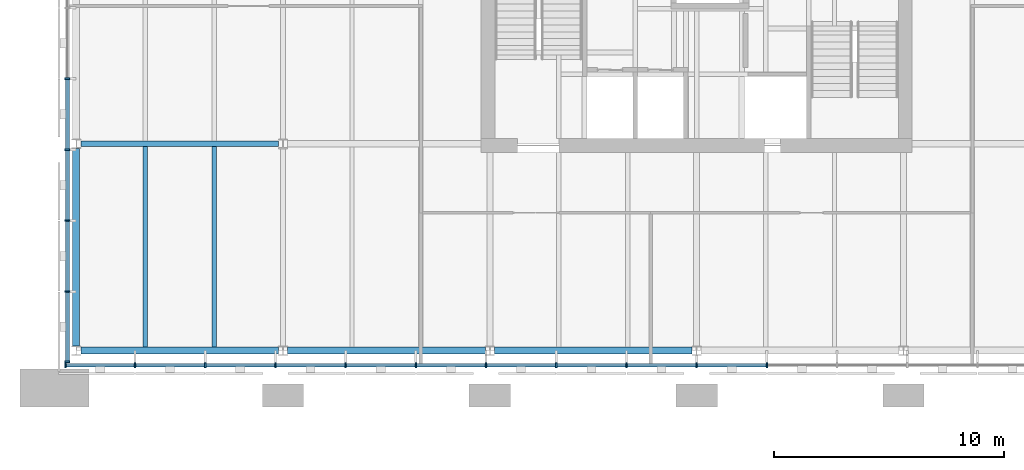
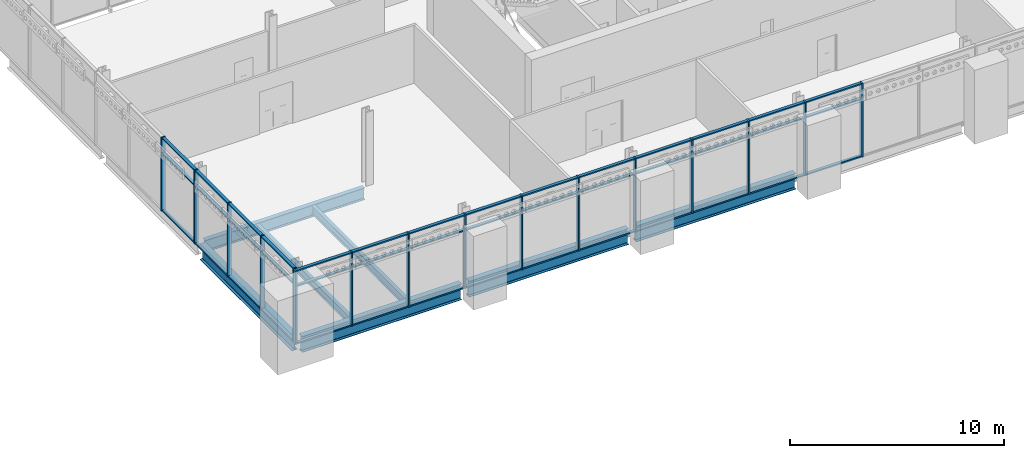
# One storey, part 30 of 123: 58 members, 7 beams, 2 elements without a shape of their own.
"""IFC4 building model written with IfcOpenShell, lengths in metres."""

from ifc_helpers import new_model, si_unit, direction, frame, origin, origin_2d, place, context, subcontext, project, spatial, rectangle, i_section, extrude, material, material_profile, profile_set, type_object, element, aggregate, save


model = new_model("IFC4")

# Units and contexts
model_context = context("Model", 3, precision=1e-05, world=origin(), true_north=direction((0.0, 1.0)))
body_context = subcontext(model_context, "Body", "Model", "MODEL_VIEW")
ifc_project = project(units=[si_unit("LENGTHUNIT", "METRE"), si_unit("AREAUNIT", "SQUARE_METRE"), si_unit("VOLUMEUNIT", "CUBIC_METRE"), si_unit("PLANEANGLEUNIT", "RADIAN"), si_unit("MASSUNIT", "GRAM", prefix="KILO")], contexts=[model_context])

# Site, building, storey
site_placement = place(None, origin())
site = spatial("IfcSite", under=ifc_project, at=site_placement, CompositionType="ELEMENT")
building_placement = place(site_placement, origin())
building = spatial("IfcBuilding", under=site, at=building_placement, Name="Baradari Gate Terminus", CompositionType="ELEMENT")
storey_placement = place(building_placement, frame((0.0, 0.0, 7.5)))
storey = spatial("IfcBuildingStorey", under=building, at=storey_placement, Name="L01", CompositionType="ELEMENT", Elevation=7.5)

# Curtain wall, members
ifc_material_1 = material(Name="Aluminium 6063-T6", Category="aluminium")
curtain_wall_type = type_object("IfcCurtainWallType", Name="Curtain wall CW-9 block gallery storey", PredefinedType="NOTDEFINED", material=ifc_material_1)
curtain_wall_1_placement = place(storey_placement, origin())
curtain_wall_1 = element("IfcCurtainWall", 1, at=curtain_wall_1_placement, inside=storey, type_object=curtain_wall_type, Name="Curtain wall CW-9 Operations block S face L01", PredefinedType="NOTDEFINED")
ifc_material_2 = material(Name="Aluminium 6063-T6", Category="aluminium")
ifc_material_profile_1 = material_profile(ifc_material_2, rectangle(XDim=0.22509765625, YDim=0.070068359375, at=origin_2d()), Name="CM-9 70X225")
ifc_profile_set_1 = profile_set([ifc_material_profile_1], Name="Aluminium 6063-T6")
member_type_1 = type_object("IfcMemberType", Name="Curtain wall mullion CM-9 70x225", PredefinedType="MULLION", material=ifc_profile_set_1)
member_1_placement = place(storey_placement, frame((8.5400390625, 116.367431640625, 0.0), z_axis=(0.0, 0.0, 1.0), x_axis=(0.0, 1.0, 0.0)))
member_1 = element("IfcMember", 2, at=member_1_placement, type_object=member_type_1, Name="CW-9 mullion 1", PredefinedType="MULLION", context=body_context, shape_type="SweptSolid", body=[
    extrude(rectangle(XDim=0.22509765625, YDim=0.070068359375, at=origin_2d()), origin(), (0.0, 0.0, 1.0), 4.199951171875),
])
member_2_placement = place(storey_placement, frame((11.56005859375, 116.367431640625, 0.0), z_axis=(0.0, 0.0, 1.0), x_axis=(0.0, 1.0, 0.0)))
member_2 = element("IfcMember", 3, at=member_2_placement, type_object=member_type_1, Name="CW-9 mullion 2", PredefinedType="MULLION", context=body_context, shape_type="SweptSolid", body=[
    extrude(rectangle(XDim=0.22509765625, YDim=0.070068359375, at=origin_2d()), origin(), (0.0, 0.0, 1.0), 4.199951171875),
])
member_3_placement = place(storey_placement, frame((14.614990234375, 116.367431640625, 0.0), z_axis=(0.0, 0.0, 1.0), x_axis=(0.0, 1.0, 0.0)))
member_3 = element("IfcMember", 4, at=member_3_placement, type_object=member_type_1, Name="CW-9 mullion 3", PredefinedType="MULLION", context=body_context, shape_type="SweptSolid", body=[
    extrude(rectangle(XDim=0.22509765625, YDim=0.070068359375, at=origin_2d()), origin(), (0.0, 0.0, 1.0), 4.199951171875),
])
member_4_placement = place(storey_placement, frame((17.669921875, 116.367431640625, 0.0), z_axis=(0.0, 0.0, 1.0), x_axis=(0.0, 1.0, 0.0)))
member_4 = element("IfcMember", 5, at=member_4_placement, type_object=member_type_1, Name="CW-9 mullion 4", PredefinedType="MULLION", context=body_context, shape_type="SweptSolid", body=[
    extrude(rectangle(XDim=0.22509765625, YDim=0.070068359375, at=origin_2d()), origin(), (0.0, 0.0, 1.0), 4.199951171875),
])
member_5_placement = place(storey_placement, frame((20.72509765625, 116.367431640625, 0.0), z_axis=(0.0, 0.0, 1.0), x_axis=(0.0, 1.0, 0.0)))
member_5 = element("IfcMember", 6, at=member_5_placement, type_object=member_type_1, Name="CW-9 mullion 5", PredefinedType="MULLION", context=body_context, shape_type="SweptSolid", body=[
    extrude(rectangle(XDim=0.22509765625, YDim=0.070068359375, at=origin_2d()), origin(), (0.0, 0.0, 1.0), 4.199951171875),
])
member_6_placement = place(storey_placement, frame((23.780029296875, 116.367431640625, 0.0), z_axis=(0.0, 0.0, 1.0), x_axis=(0.0, 1.0, 0.0)))
member_6 = element("IfcMember", 7, at=member_6_placement, type_object=member_type_1, Name="CW-9 mullion 6", PredefinedType="MULLION", context=body_context, shape_type="SweptSolid", body=[
    extrude(rectangle(XDim=0.22509765625, YDim=0.070068359375, at=origin_2d()), origin(), (0.0, 0.0, 1.0), 4.199951171875),
])
member_7_placement = place(storey_placement, frame((26.8349609375, 116.367431640625, 0.0), z_axis=(0.0, 0.0, 1.0), x_axis=(0.0, 1.0, 0.0)))
member_7 = element("IfcMember", 8, at=member_7_placement, type_object=member_type_1, Name="CW-9 mullion 7", PredefinedType="MULLION", context=body_context, shape_type="SweptSolid", body=[
    extrude(rectangle(XDim=0.22509765625, YDim=0.070068359375, at=origin_2d()), origin(), (0.0, 0.0, 1.0), 4.199951171875),
])
member_8_placement = place(storey_placement, frame((29.889892578125, 116.367431640625, 0.0), z_axis=(0.0, 0.0, 1.0), x_axis=(0.0, 1.0, 0.0)))
member_8 = element("IfcMember", 9, at=member_8_placement, type_object=member_type_1, Name="CW-9 mullion 8", PredefinedType="MULLION", context=body_context, shape_type="SweptSolid", body=[
    extrude(rectangle(XDim=0.22509765625, YDim=0.070068359375, at=origin_2d()), origin(), (0.0, 0.0, 1.0), 4.199951171875),
])
member_9_placement = place(storey_placement, frame((32.945068359375, 116.367431640625, 0.0), z_axis=(0.0, 0.0, 1.0), x_axis=(0.0, 1.0, 0.0)))
member_9 = element("IfcMember", 10, at=member_9_placement, type_object=member_type_1, Name="CW-9 mullion 9", PredefinedType="MULLION", context=body_context, shape_type="SweptSolid", body=[
    extrude(rectangle(XDim=0.22509765625, YDim=0.070068359375, at=origin_2d()), origin(), (0.0, 0.0, 1.0), 4.199951171875),
])
member_10_placement = place(storey_placement, frame((36.0, 116.367431640625, 0.0), z_axis=(0.0, 0.0, 1.0), x_axis=(0.0, 1.0, 0.0)))
member_10 = element("IfcMember", 11, at=member_10_placement, type_object=member_type_1, Name="CW-9 mullion 10", PredefinedType="MULLION", context=body_context, shape_type="SweptSolid", body=[
    extrude(rectangle(XDim=0.22509765625, YDim=0.070068359375, at=origin_2d()), origin(), (0.0, 0.0, 1.0), 4.199951171875),
])
member_11_placement = place(storey_placement, frame((39.054931640625, 116.367431640625, 0.0), z_axis=(0.0, 0.0, 1.0), x_axis=(0.0, 1.0, 0.0)))
member_11 = element("IfcMember", 12, at=member_11_placement, type_object=member_type_1, Name="CW-9 mullion 11", PredefinedType="MULLION", context=body_context, shape_type="SweptSolid", body=[
    extrude(rectangle(XDim=0.22509765625, YDim=0.070068359375, at=origin_2d()), origin(), (0.0, 0.0, 1.0), 4.199951171875),
])

curtain_wall_2_placement = place(storey_placement, origin())
curtain_wall_2 = element("IfcCurtainWall", 13, at=curtain_wall_2_placement, inside=storey, type_object=curtain_wall_type, Name="Curtain wall CW-9 Operations block W face L01", PredefinedType="NOTDEFINED")
member_12_placement = place(storey_placement, frame((8.617431640625, 116.514892578125, 0.0), z_axis=(0.0, 0.0, 1.0), x_axis=(-1.0, 0.0, 0.0)))
member_12 = element("IfcMember", 14, at=member_12_placement, type_object=member_type_1, Name="CW-9 mullion 1", PredefinedType="MULLION", context=body_context, shape_type="SweptSolid", body=[
    extrude(rectangle(XDim=0.22509765625, YDim=0.070068359375, at=origin_2d()), origin(), (0.0, 0.0, 1.0), 4.199951171875),
])
member_13_placement = place(storey_placement, frame((8.617431640625, 119.56787109375, 0.0), z_axis=(0.0, 0.0, 1.0), x_axis=(-1.0, 0.0, 0.0)))
member_13 = element("IfcMember", 15, at=member_13_placement, type_object=member_type_1, Name="CW-9 mullion 2", PredefinedType="MULLION", context=body_context, shape_type="SweptSolid", body=[
    extrude(rectangle(XDim=0.22509765625, YDim=0.070068359375, at=origin_2d()), origin(), (0.0, 0.0, 1.0), 4.199951171875),
])
member_14_placement = place(storey_placement, frame((8.617431640625, 122.655517578125, 0.0), z_axis=(0.0, 0.0, 1.0), x_axis=(-1.0, 0.0, 0.0)))
member_14 = element("IfcMember", 16, at=member_14_placement, type_object=member_type_1, Name="CW-9 mullion 3", PredefinedType="MULLION", context=body_context, shape_type="SweptSolid", body=[
    extrude(rectangle(XDim=0.22509765625, YDim=0.070068359375, at=origin_2d()), origin(), (0.0, 0.0, 1.0), 4.199951171875),
])
member_15_placement = place(storey_placement, frame((8.617431640625, 125.743408203125, 0.0), z_axis=(0.0, 0.0, 1.0), x_axis=(-1.0, 0.0, 0.0)))
member_15 = element("IfcMember", 17, at=member_15_placement, type_object=member_type_1, Name="CW-9 mullion 4", PredefinedType="MULLION", context=body_context, shape_type="SweptSolid", body=[
    extrude(rectangle(XDim=0.22509765625, YDim=0.070068359375, at=origin_2d()), origin(), (0.0, 0.0, 1.0), 4.199951171875),
])
member_16_placement = place(storey_placement, frame((8.617431640625, 128.8310546875, 0.0), z_axis=(0.0, 0.0, 1.0), x_axis=(-1.0, 0.0, 0.0)))
member_16 = element("IfcMember", 18, at=member_16_placement, type_object=member_type_1, Name="CW-9 mullion 5", PredefinedType="MULLION", context=body_context, shape_type="SweptSolid", body=[
    extrude(rectangle(XDim=0.22509765625, YDim=0.070068359375, at=origin_2d()), origin(), (0.0, 0.0, 1.0), 4.199951171875),
])

# Member
ifc_material_3 = material(Name="Aluminium 6063-T6", Category="aluminium")
ifc_material_profile_2 = material_profile(ifc_material_3, rectangle(XDim=0.1650390625, YDim=0.070068359375, at=origin_2d()), Name="CT-9 70X165")
ifc_profile_set_2 = profile_set([ifc_material_profile_2], Name="Aluminium 6063-T6")
member_type_2 = type_object("IfcMemberType", Name="Curtain wall transom CT-9 70x165", PredefinedType="USERDEFINED", material=ifc_profile_set_2)
member_17_placement = place(storey_placement, frame((8.574951171875, 116.367431640625, 0.034912109375), z_axis=(1.0, 0.0, 0.0), x_axis=(0.0, 1.0, 0.0)))
member_17 = element("IfcMember", 19, at=member_17_placement, type_object=member_type_2, Name="CW-9 transom 1.1", ObjectType="TRANSOM", PredefinedType="USERDEFINED", context=body_context, shape_type="SweptSolid", body=[
    extrude(rectangle(XDim=0.1650390625, YDim=0.070068359375, at=origin_2d()), origin(), (0.0, 0.0, 1.0), 2.949951171875),
])

member_18_placement = place(storey_placement, frame((8.574951171875, 116.367431640625, 3.300048828125), z_axis=(1.0, 0.0, 0.0), x_axis=(0.0, 1.0, 0.0)))
member_18 = element("IfcMember", 20, at=member_18_placement, type_object=member_type_2, Name="CW-9 transom 1.2", ObjectType="TRANSOM", PredefinedType="USERDEFINED", context=body_context, shape_type="SweptSolid", body=[
    extrude(rectangle(XDim=0.1650390625, YDim=0.070068359375, at=origin_2d()), origin(), (0.0, 0.0, 1.0), 2.949951171875),
])

member_19_placement = place(storey_placement, frame((8.574951171875, 116.367431640625, 4.1650390625), z_axis=(1.0, 0.0, 0.0), x_axis=(0.0, 1.0, 0.0)))
member_19 = element("IfcMember", 21, at=member_19_placement, type_object=member_type_2, Name="CW-9 transom 1.3", ObjectType="TRANSOM", PredefinedType="USERDEFINED", context=body_context, shape_type="SweptSolid", body=[
    extrude(rectangle(XDim=0.1650390625, YDim=0.070068359375, at=origin_2d()), origin(), (0.0, 0.0, 1.0), 2.949951171875),
])

member_20_placement = place(storey_placement, frame((11.594970703125, 116.367431640625, 0.034912109375), z_axis=(1.0, 0.0, 0.0), x_axis=(0.0, 1.0, 0.0)))
member_20 = element("IfcMember", 22, at=member_20_placement, type_object=member_type_2, Name="CW-9 transom 2.1", ObjectType="TRANSOM", PredefinedType="USERDEFINED", context=body_context, shape_type="SweptSolid", body=[
    extrude(rectangle(XDim=0.1650390625, YDim=0.070068359375, at=origin_2d()), origin(), (0.0, 0.0, 1.0), 2.985107421875),
])

member_21_placement = place(storey_placement, frame((11.594970703125, 116.367431640625, 3.300048828125), z_axis=(1.0, 0.0, 0.0), x_axis=(0.0, 1.0, 0.0)))
member_21 = element("IfcMember", 23, at=member_21_placement, type_object=member_type_2, Name="CW-9 transom 2.2", ObjectType="TRANSOM", PredefinedType="USERDEFINED", context=body_context, shape_type="SweptSolid", body=[
    extrude(rectangle(XDim=0.1650390625, YDim=0.070068359375, at=origin_2d()), origin(), (0.0, 0.0, 1.0), 2.985107421875),
])

member_22_placement = place(storey_placement, frame((11.594970703125, 116.367431640625, 4.1650390625), z_axis=(1.0, 0.0, 0.0), x_axis=(0.0, 1.0, 0.0)))
member_22 = element("IfcMember", 24, at=member_22_placement, type_object=member_type_2, Name="CW-9 transom 2.3", ObjectType="TRANSOM", PredefinedType="USERDEFINED", context=body_context, shape_type="SweptSolid", body=[
    extrude(rectangle(XDim=0.1650390625, YDim=0.070068359375, at=origin_2d()), origin(), (0.0, 0.0, 1.0), 2.985107421875),
])

member_23_placement = place(storey_placement, frame((14.64990234375, 116.367431640625, 0.034912109375), z_axis=(1.0, 0.0, 0.0), x_axis=(0.0, 1.0, 0.0)))
member_23 = element("IfcMember", 25, at=member_23_placement, type_object=member_type_2, Name="CW-9 transom 3.1", ObjectType="TRANSOM", PredefinedType="USERDEFINED", context=body_context, shape_type="SweptSolid", body=[
    extrude(rectangle(XDim=0.1650390625, YDim=0.070068359375, at=origin_2d()), origin(), (0.0, 0.0, 1.0), 2.985107421875),
])

member_24_placement = place(storey_placement, frame((14.64990234375, 116.367431640625, 3.300048828125), z_axis=(1.0, 0.0, 0.0), x_axis=(0.0, 1.0, 0.0)))
member_24 = element("IfcMember", 26, at=member_24_placement, type_object=member_type_2, Name="CW-9 transom 3.2", ObjectType="TRANSOM", PredefinedType="USERDEFINED", context=body_context, shape_type="SweptSolid", body=[
    extrude(rectangle(XDim=0.1650390625, YDim=0.070068359375, at=origin_2d()), origin(), (0.0, 0.0, 1.0), 2.985107421875),
])

member_25_placement = place(storey_placement, frame((14.64990234375, 116.367431640625, 4.1650390625), z_axis=(1.0, 0.0, 0.0), x_axis=(0.0, 1.0, 0.0)))
member_25 = element("IfcMember", 27, at=member_25_placement, type_object=member_type_2, Name="CW-9 transom 3.3", ObjectType="TRANSOM", PredefinedType="USERDEFINED", context=body_context, shape_type="SweptSolid", body=[
    extrude(rectangle(XDim=0.1650390625, YDim=0.070068359375, at=origin_2d()), origin(), (0.0, 0.0, 1.0), 2.985107421875),
])

member_26_placement = place(storey_placement, frame((17.705078125, 116.367431640625, 0.034912109375), z_axis=(1.0, 0.0, 0.0), x_axis=(0.0, 1.0, 0.0)))
member_26 = element("IfcMember", 28, at=member_26_placement, type_object=member_type_2, Name="CW-9 transom 4.1", ObjectType="TRANSOM", PredefinedType="USERDEFINED", context=body_context, shape_type="SweptSolid", body=[
    extrude(rectangle(XDim=0.1650390625, YDim=0.070068359375, at=origin_2d()), origin(), (0.0, 0.0, 1.0), 2.98486328125),
])

member_27_placement = place(storey_placement, frame((17.705078125, 116.367431640625, 3.300048828125), z_axis=(1.0, 0.0, 0.0), x_axis=(0.0, 1.0, 0.0)))
member_27 = element("IfcMember", 29, at=member_27_placement, type_object=member_type_2, Name="CW-9 transom 4.2", ObjectType="TRANSOM", PredefinedType="USERDEFINED", context=body_context, shape_type="SweptSolid", body=[
    extrude(rectangle(XDim=0.1650390625, YDim=0.070068359375, at=origin_2d()), origin(), (0.0, 0.0, 1.0), 2.98486328125),
])

member_28_placement = place(storey_placement, frame((17.705078125, 116.367431640625, 4.1650390625), z_axis=(1.0, 0.0, 0.0), x_axis=(0.0, 1.0, 0.0)))
member_28 = element("IfcMember", 30, at=member_28_placement, type_object=member_type_2, Name="CW-9 transom 4.3", ObjectType="TRANSOM", PredefinedType="USERDEFINED", context=body_context, shape_type="SweptSolid", body=[
    extrude(rectangle(XDim=0.1650390625, YDim=0.070068359375, at=origin_2d()), origin(), (0.0, 0.0, 1.0), 2.98486328125),
])

member_29_placement = place(storey_placement, frame((20.760009765625, 116.367431640625, 0.034912109375), z_axis=(1.0, 0.0, 0.0), x_axis=(0.0, 1.0, 0.0)))
member_29 = element("IfcMember", 31, at=member_29_placement, type_object=member_type_2, Name="CW-9 transom 5.1", ObjectType="TRANSOM", PredefinedType="USERDEFINED", context=body_context, shape_type="SweptSolid", body=[
    extrude(rectangle(XDim=0.1650390625, YDim=0.070068359375, at=origin_2d()), origin(), (0.0, 0.0, 1.0), 2.985107421875),
])

member_30_placement = place(storey_placement, frame((20.760009765625, 116.367431640625, 3.300048828125), z_axis=(1.0, 0.0, 0.0), x_axis=(0.0, 1.0, 0.0)))
member_30 = element("IfcMember", 32, at=member_30_placement, type_object=member_type_2, Name="CW-9 transom 5.2", ObjectType="TRANSOM", PredefinedType="USERDEFINED", context=body_context, shape_type="SweptSolid", body=[
    extrude(rectangle(XDim=0.1650390625, YDim=0.070068359375, at=origin_2d()), origin(), (0.0, 0.0, 1.0), 2.985107421875),
])

member_31_placement = place(storey_placement, frame((20.760009765625, 116.367431640625, 4.1650390625), z_axis=(1.0, 0.0, 0.0), x_axis=(0.0, 1.0, 0.0)))
member_31 = element("IfcMember", 33, at=member_31_placement, type_object=member_type_2, Name="CW-9 transom 5.3", ObjectType="TRANSOM", PredefinedType="USERDEFINED", context=body_context, shape_type="SweptSolid", body=[
    extrude(rectangle(XDim=0.1650390625, YDim=0.070068359375, at=origin_2d()), origin(), (0.0, 0.0, 1.0), 2.985107421875),
])

member_32_placement = place(storey_placement, frame((23.81494140625, 116.367431640625, 0.034912109375), z_axis=(1.0, 0.0, 0.0), x_axis=(0.0, 1.0, 0.0)))
member_32 = element("IfcMember", 34, at=member_32_placement, type_object=member_type_2, Name="CW-9 transom 6.1", ObjectType="TRANSOM", PredefinedType="USERDEFINED", context=body_context, shape_type="SweptSolid", body=[
    extrude(rectangle(XDim=0.1650390625, YDim=0.070068359375, at=origin_2d()), origin(), (0.0, 0.0, 1.0), 2.985107421875),
])

member_33_placement = place(storey_placement, frame((23.81494140625, 116.367431640625, 3.300048828125), z_axis=(1.0, 0.0, 0.0), x_axis=(0.0, 1.0, 0.0)))
member_33 = element("IfcMember", 35, at=member_33_placement, type_object=member_type_2, Name="CW-9 transom 6.2", ObjectType="TRANSOM", PredefinedType="USERDEFINED", context=body_context, shape_type="SweptSolid", body=[
    extrude(rectangle(XDim=0.1650390625, YDim=0.070068359375, at=origin_2d()), origin(), (0.0, 0.0, 1.0), 2.985107421875),
])

member_34_placement = place(storey_placement, frame((23.81494140625, 116.367431640625, 4.1650390625), z_axis=(1.0, 0.0, 0.0), x_axis=(0.0, 1.0, 0.0)))
member_34 = element("IfcMember", 36, at=member_34_placement, type_object=member_type_2, Name="CW-9 transom 6.3", ObjectType="TRANSOM", PredefinedType="USERDEFINED", context=body_context, shape_type="SweptSolid", body=[
    extrude(rectangle(XDim=0.1650390625, YDim=0.070068359375, at=origin_2d()), origin(), (0.0, 0.0, 1.0), 2.985107421875),
])

member_35_placement = place(storey_placement, frame((26.8701171875, 116.367431640625, 0.034912109375), z_axis=(1.0, 0.0, 0.0), x_axis=(0.0, 1.0, 0.0)))
member_35 = element("IfcMember", 37, at=member_35_placement, type_object=member_type_2, Name="CW-9 transom 7.1", ObjectType="TRANSOM", PredefinedType="USERDEFINED", context=body_context, shape_type="SweptSolid", body=[
    extrude(rectangle(XDim=0.1650390625, YDim=0.070068359375, at=origin_2d()), origin(), (0.0, 0.0, 1.0), 2.98486328125),
])

member_36_placement = place(storey_placement, frame((26.8701171875, 116.367431640625, 3.300048828125), z_axis=(1.0, 0.0, 0.0), x_axis=(0.0, 1.0, 0.0)))
member_36 = element("IfcMember", 38, at=member_36_placement, type_object=member_type_2, Name="CW-9 transom 7.2", ObjectType="TRANSOM", PredefinedType="USERDEFINED", context=body_context, shape_type="SweptSolid", body=[
    extrude(rectangle(XDim=0.1650390625, YDim=0.070068359375, at=origin_2d()), origin(), (0.0, 0.0, 1.0), 2.98486328125),
])

member_37_placement = place(storey_placement, frame((26.8701171875, 116.367431640625, 4.1650390625), z_axis=(1.0, 0.0, 0.0), x_axis=(0.0, 1.0, 0.0)))
member_37 = element("IfcMember", 39, at=member_37_placement, type_object=member_type_2, Name="CW-9 transom 7.3", ObjectType="TRANSOM", PredefinedType="USERDEFINED", context=body_context, shape_type="SweptSolid", body=[
    extrude(rectangle(XDim=0.1650390625, YDim=0.070068359375, at=origin_2d()), origin(), (0.0, 0.0, 1.0), 2.98486328125),
])

member_38_placement = place(storey_placement, frame((29.925048828125, 116.367431640625, 0.034912109375), z_axis=(1.0, 0.0, 0.0), x_axis=(0.0, 1.0, 0.0)))
member_38 = element("IfcMember", 40, at=member_38_placement, type_object=member_type_2, Name="CW-9 transom 8.1", ObjectType="TRANSOM", PredefinedType="USERDEFINED", context=body_context, shape_type="SweptSolid", body=[
    extrude(rectangle(XDim=0.1650390625, YDim=0.070068359375, at=origin_2d()), origin(), (0.0, 0.0, 1.0), 2.98486328125),
])

member_39_placement = place(storey_placement, frame((29.925048828125, 116.367431640625, 3.300048828125), z_axis=(1.0, 0.0, 0.0), x_axis=(0.0, 1.0, 0.0)))
member_39 = element("IfcMember", 41, at=member_39_placement, type_object=member_type_2, Name="CW-9 transom 8.2", ObjectType="TRANSOM", PredefinedType="USERDEFINED", context=body_context, shape_type="SweptSolid", body=[
    extrude(rectangle(XDim=0.1650390625, YDim=0.070068359375, at=origin_2d()), origin(), (0.0, 0.0, 1.0), 2.98486328125),
])

member_40_placement = place(storey_placement, frame((29.925048828125, 116.367431640625, 4.1650390625), z_axis=(1.0, 0.0, 0.0), x_axis=(0.0, 1.0, 0.0)))
member_40 = element("IfcMember", 42, at=member_40_placement, type_object=member_type_2, Name="CW-9 transom 8.3", ObjectType="TRANSOM", PredefinedType="USERDEFINED", context=body_context, shape_type="SweptSolid", body=[
    extrude(rectangle(XDim=0.1650390625, YDim=0.070068359375, at=origin_2d()), origin(), (0.0, 0.0, 1.0), 2.98486328125),
])

member_41_placement = place(storey_placement, frame((32.97998046875, 116.367431640625, 0.034912109375), z_axis=(1.0, 0.0, 0.0), x_axis=(0.0, 1.0, 0.0)))
member_41 = element("IfcMember", 43, at=member_41_placement, type_object=member_type_2, Name="CW-9 transom 9.1", ObjectType="TRANSOM", PredefinedType="USERDEFINED", context=body_context, shape_type="SweptSolid", body=[
    extrude(rectangle(XDim=0.1650390625, YDim=0.070068359375, at=origin_2d()), origin(), (0.0, 0.0, 1.0), 2.985107421875),
])

member_42_placement = place(storey_placement, frame((32.97998046875, 116.367431640625, 3.300048828125), z_axis=(1.0, 0.0, 0.0), x_axis=(0.0, 1.0, 0.0)))
member_42 = element("IfcMember", 44, at=member_42_placement, type_object=member_type_2, Name="CW-9 transom 9.2", ObjectType="TRANSOM", PredefinedType="USERDEFINED", context=body_context, shape_type="SweptSolid", body=[
    extrude(rectangle(XDim=0.1650390625, YDim=0.070068359375, at=origin_2d()), origin(), (0.0, 0.0, 1.0), 2.985107421875),
])

member_43_placement = place(storey_placement, frame((32.97998046875, 116.367431640625, 4.1650390625), z_axis=(1.0, 0.0, 0.0), x_axis=(0.0, 1.0, 0.0)))
member_43 = element("IfcMember", 45, at=member_43_placement, type_object=member_type_2, Name="CW-9 transom 9.3", ObjectType="TRANSOM", PredefinedType="USERDEFINED", context=body_context, shape_type="SweptSolid", body=[
    extrude(rectangle(XDim=0.1650390625, YDim=0.070068359375, at=origin_2d()), origin(), (0.0, 0.0, 1.0), 2.985107421875),
])

member_44_placement = place(storey_placement, frame((36.034912109375, 116.367431640625, 0.034912109375), z_axis=(1.0, 0.0, 0.0), x_axis=(0.0, 1.0, 0.0)))
member_44 = element("IfcMember", 46, at=member_44_placement, type_object=member_type_2, Name="CW-9 transom 10.1", ObjectType="TRANSOM", PredefinedType="USERDEFINED", context=body_context, shape_type="SweptSolid", body=[
    extrude(rectangle(XDim=0.1650390625, YDim=0.070068359375, at=origin_2d()), origin(), (0.0, 0.0, 1.0), 2.985107421875),
])

member_45_placement = place(storey_placement, frame((36.034912109375, 116.367431640625, 3.300048828125), z_axis=(1.0, 0.0, 0.0), x_axis=(0.0, 1.0, 0.0)))
member_45 = element("IfcMember", 47, at=member_45_placement, type_object=member_type_2, Name="CW-9 transom 10.2", ObjectType="TRANSOM", PredefinedType="USERDEFINED", context=body_context, shape_type="SweptSolid", body=[
    extrude(rectangle(XDim=0.1650390625, YDim=0.070068359375, at=origin_2d()), origin(), (0.0, 0.0, 1.0), 2.985107421875),
])

member_46_placement = place(storey_placement, frame((36.034912109375, 116.367431640625, 4.1650390625), z_axis=(1.0, 0.0, 0.0), x_axis=(0.0, 1.0, 0.0)))
member_46 = element("IfcMember", 48, at=member_46_placement, type_object=member_type_2, Name="CW-9 transom 10.3", ObjectType="TRANSOM", PredefinedType="USERDEFINED", context=body_context, shape_type="SweptSolid", body=[
    extrude(rectangle(XDim=0.1650390625, YDim=0.070068359375, at=origin_2d()), origin(), (0.0, 0.0, 1.0), 2.985107421875),
])

aggregate(curtain_wall_1, [member_1, member_2, member_3, member_4, member_5, member_6, member_7, member_8, member_9, member_10, member_11, member_17, member_18, member_19, member_20, member_21, member_22, member_23, member_24, member_25, member_26, member_27, member_28, member_29, member_30, member_31, member_32, member_33, member_34, member_35, member_36, member_37, member_38, member_39, member_40, member_41, member_42, member_43, member_44, member_45, member_46])

member_47_placement = place(storey_placement, frame((8.617431640625, 116.550048828125, 0.034912109375), z_axis=(0.0, 1.0, 0.0), x_axis=(-1.0, 0.0, 0.0)))
member_47 = element("IfcMember", 49, at=member_47_placement, type_object=member_type_2, Name="CW-9 transom 1.1", ObjectType="TRANSOM", PredefinedType="USERDEFINED", context=body_context, shape_type="SweptSolid", body=[
    extrude(rectangle(XDim=0.1650390625, YDim=0.070068359375, at=origin_2d()), origin(), (0.0, 0.0, 1.0), 2.982666015625),
])

member_48_placement = place(storey_placement, frame((8.617431640625, 116.550048828125, 3.300048828125), z_axis=(0.0, 1.0, 0.0), x_axis=(-1.0, 0.0, 0.0)))
member_48 = element("IfcMember", 50, at=member_48_placement, type_object=member_type_2, Name="CW-9 transom 1.2", ObjectType="TRANSOM", PredefinedType="USERDEFINED", context=body_context, shape_type="SweptSolid", body=[
    extrude(rectangle(XDim=0.1650390625, YDim=0.070068359375, at=origin_2d()), origin(), (0.0, 0.0, 1.0), 2.982666015625),
])

member_49_placement = place(storey_placement, frame((8.617431640625, 116.550048828125, 4.1650390625), z_axis=(0.0, 1.0, 0.0), x_axis=(-1.0, 0.0, 0.0)))
member_49 = element("IfcMember", 51, at=member_49_placement, type_object=member_type_2, Name="CW-9 transom 1.3", ObjectType="TRANSOM", PredefinedType="USERDEFINED", context=body_context, shape_type="SweptSolid", body=[
    extrude(rectangle(XDim=0.1650390625, YDim=0.070068359375, at=origin_2d()), origin(), (0.0, 0.0, 1.0), 2.982666015625),
])

member_50_placement = place(storey_placement, frame((8.617431640625, 119.602783203125, 0.034912109375), z_axis=(0.0, 1.0, 0.0), x_axis=(-1.0, 0.0, 0.0)))
member_50 = element("IfcMember", 52, at=member_50_placement, type_object=member_type_2, Name="CW-9 transom 2.1", ObjectType="TRANSOM", PredefinedType="USERDEFINED", context=body_context, shape_type="SweptSolid", body=[
    extrude(rectangle(XDim=0.1650390625, YDim=0.070068359375, at=origin_2d()), origin(), (0.0, 0.0, 1.0), 3.017822265625),
])

member_51_placement = place(storey_placement, frame((8.617431640625, 119.602783203125, 3.300048828125), z_axis=(0.0, 1.0, 0.0), x_axis=(-1.0, 0.0, 0.0)))
member_51 = element("IfcMember", 53, at=member_51_placement, type_object=member_type_2, Name="CW-9 transom 2.2", ObjectType="TRANSOM", PredefinedType="USERDEFINED", context=body_context, shape_type="SweptSolid", body=[
    extrude(rectangle(XDim=0.1650390625, YDim=0.070068359375, at=origin_2d()), origin(), (0.0, 0.0, 1.0), 3.017822265625),
])

member_52_placement = place(storey_placement, frame((8.617431640625, 119.602783203125, 4.1650390625), z_axis=(0.0, 1.0, 0.0), x_axis=(-1.0, 0.0, 0.0)))
member_52 = element("IfcMember", 54, at=member_52_placement, type_object=member_type_2, Name="CW-9 transom 2.3", ObjectType="TRANSOM", PredefinedType="USERDEFINED", context=body_context, shape_type="SweptSolid", body=[
    extrude(rectangle(XDim=0.1650390625, YDim=0.070068359375, at=origin_2d()), origin(), (0.0, 0.0, 1.0), 3.017822265625),
])

member_53_placement = place(storey_placement, frame((8.617431640625, 122.690673828125, 0.034912109375), z_axis=(0.0, 1.0, 0.0), x_axis=(-1.0, 0.0, 0.0)))
member_53 = element("IfcMember", 55, at=member_53_placement, type_object=member_type_2, Name="CW-9 transom 3.1", ObjectType="TRANSOM", PredefinedType="USERDEFINED", context=body_context, shape_type="SweptSolid", body=[
    extrude(rectangle(XDim=0.1650390625, YDim=0.070068359375, at=origin_2d()), origin(), (0.0, 0.0, 1.0), 3.017578125),
])

member_54_placement = place(storey_placement, frame((8.617431640625, 122.690673828125, 3.300048828125), z_axis=(0.0, 1.0, 0.0), x_axis=(-1.0, 0.0, 0.0)))
member_54 = element("IfcMember", 56, at=member_54_placement, type_object=member_type_2, Name="CW-9 transom 3.2", ObjectType="TRANSOM", PredefinedType="USERDEFINED", context=body_context, shape_type="SweptSolid", body=[
    extrude(rectangle(XDim=0.1650390625, YDim=0.070068359375, at=origin_2d()), origin(), (0.0, 0.0, 1.0), 3.017578125),
])

member_55_placement = place(storey_placement, frame((8.617431640625, 122.690673828125, 4.1650390625), z_axis=(0.0, 1.0, 0.0), x_axis=(-1.0, 0.0, 0.0)))
member_55 = element("IfcMember", 57, at=member_55_placement, type_object=member_type_2, Name="CW-9 transom 3.3", ObjectType="TRANSOM", PredefinedType="USERDEFINED", context=body_context, shape_type="SweptSolid", body=[
    extrude(rectangle(XDim=0.1650390625, YDim=0.070068359375, at=origin_2d()), origin(), (0.0, 0.0, 1.0), 3.017578125),
])

member_56_placement = place(storey_placement, frame((8.617431640625, 125.7783203125, 0.034912109375), z_axis=(0.0, 1.0, 0.0), x_axis=(-1.0, 0.0, 0.0)))
member_56 = element("IfcMember", 58, at=member_56_placement, type_object=member_type_2, Name="CW-9 transom 4.1", ObjectType="TRANSOM", PredefinedType="USERDEFINED", context=body_context, shape_type="SweptSolid", body=[
    extrude(rectangle(XDim=0.1650390625, YDim=0.070068359375, at=origin_2d()), origin(), (0.0, 0.0, 1.0), 3.017822265625),
])

member_57_placement = place(storey_placement, frame((8.617431640625, 125.7783203125, 3.300048828125), z_axis=(0.0, 1.0, 0.0), x_axis=(-1.0, 0.0, 0.0)))
member_57 = element("IfcMember", 59, at=member_57_placement, type_object=member_type_2, Name="CW-9 transom 4.2", ObjectType="TRANSOM", PredefinedType="USERDEFINED", context=body_context, shape_type="SweptSolid", body=[
    extrude(rectangle(XDim=0.1650390625, YDim=0.070068359375, at=origin_2d()), origin(), (0.0, 0.0, 1.0), 3.017822265625),
])

member_58_placement = place(storey_placement, frame((8.617431640625, 125.7783203125, 4.1650390625), z_axis=(0.0, 1.0, 0.0), x_axis=(-1.0, 0.0, 0.0)))
member_58 = element("IfcMember", 60, at=member_58_placement, type_object=member_type_2, Name="CW-9 transom 4.3", ObjectType="TRANSOM", PredefinedType="USERDEFINED", context=body_context, shape_type="SweptSolid", body=[
    extrude(rectangle(XDim=0.1650390625, YDim=0.070068359375, at=origin_2d()), origin(), (0.0, 0.0, 1.0), 3.017822265625),
])

aggregate(curtain_wall_2, [member_12, member_13, member_14, member_15, member_16, member_47, member_48, member_49, member_50, member_51, member_52, member_53, member_54, member_55, member_56, member_57, member_58])

# Beams
ifc_material_4 = material(Name="Steel S355", Category="steel")
ifc_material_profile_3 = material_profile(ifc_material_4, i_section(OverallWidth=0.2529296875, OverallDepth=0.677978515625, WebThickness=0.01171875, FlangeThickness=0.01611328125, FilletRadius=0.01513671875, at=origin_2d()), Name="UB 686x254x125")
ifc_profile_set_3 = profile_set([ifc_material_profile_3], Name="Steel S355")
beam_type_1 = type_object("IfcBeamType", Name="Operations block girder B02 UB 686x254x125", PredefinedType="BEAM", material=ifc_profile_set_3)
beam_1_placement = place(storey_placement, frame((9.199462890625, 126.0, -0.468994140625), z_axis=(1.0, 0.0, 0.0), x_axis=(0.0, 1.0, 0.0)))
element("IfcBeam", 61, at=beam_1_placement, inside=storey, type_object=beam_type_1, Name="Operations block girder B02 Q:9.2-17.794 L01", PredefinedType="BEAM", context=body_context, shape_type="SweptSolid", body=[
    extrude(i_section(OverallWidth=0.2529296875, OverallDepth=0.677978515625, WebThickness=0.01171875, FlangeThickness=0.01611328125, FilletRadius=0.01513671875, at=origin_2d()), origin(), (0.0, 0.0, 1.0), 8.594482421875),
])
ifc_material_5 = material(Name="Steel S355", Category="steel")
ifc_material_profile_4 = material_profile(ifc_material_5, i_section(OverallWidth=0.30419921875, OverallDepth=0.910400390625, WebThickness=0.015869140625, FlangeThickness=0.02392578125, FilletRadius=0.01904296875, at=origin_2d()), Name="UB 914x305x224")
ifc_profile_set_4 = profile_set([ifc_material_profile_4], Name="Steel S355")
beam_type_2 = type_object("IfcBeamType", Name="Operations block moment frame beam B01 UB 914x305x224", PredefinedType="BEAM", material=ifc_profile_set_4)
for number, where, z_axis, x_axis, name in (
    (62, (9.199462890625, 117.0, -0.585205078125), (1.0, 0.0, 0.0), (0.0, 1.0, 0.0), "Operations block moment frame beam B01 P:9.2-17.8 L01"),
    (63, (18.199462890625, 117.0, -0.585205078125), (1.0, 0.0, 0.0), (0.0, 1.0, 0.0), "Operations block moment frame beam B01 P:18.2-26.8 L01"),
    (64, (27.199462890625, 117.0, -0.585205078125), (1.0, 0.0, 0.0), (0.0, 1.0, 0.0), "Operations block moment frame beam B01 P:27.2-35.8 L01"),
):
    element("IfcBeam", number, at=place(storey_placement, frame(where, z_axis=z_axis, x_axis=x_axis)), inside=storey, type_object=beam_type_2, Name=name, PredefinedType="BEAM", context=body_context, shape_type="SweptSolid", body=[
        extrude(i_section(OverallWidth=0.30419921875, OverallDepth=0.910400390625, WebThickness=0.015869140625, FlangeThickness=0.02392578125, FilletRadius=0.01904296875, at=origin_2d()), origin(), (0.0, 0.0, 1.0), 8.60107421875),
    ])
beam_2_placement = place(storey_placement, frame((9.0, 117.19677734375, -0.585205078125), z_axis=(0.0, 1.0, 0.0), x_axis=(-1.0, 0.0, 0.0)))
element("IfcBeam", 65, at=beam_2_placement, inside=storey, type_object=beam_type_2, Name="Operations block moment frame beam B01 2:117.197-125.803 L01", PredefinedType="BEAM", context=body_context, shape_type="SweptSolid", body=[
    extrude(i_section(OverallWidth=0.30419921875, OverallDepth=0.910400390625, WebThickness=0.015869140625, FlangeThickness=0.02392578125, FilletRadius=0.01904296875, at=origin_2d()), origin(), (0.0, 0.0, 1.0), 8.6064453125),
])
ifc_material_6 = material(Name="Steel S355", Category="steel")
ifc_material_profile_5 = material_profile(ifc_material_6, i_section(OverallWidth=0.19140625, OverallDepth=0.4599609375, WebThickness=0.010009765625, FlangeThickness=0.01611328125, FilletRadius=0.01025390625, at=origin_2d()), Name="UB 457x191x82")
ifc_profile_set_5 = profile_set([ifc_material_profile_5], Name="Steel S355")
beam_type_3 = type_object("IfcBeamType", Name="Operations block secondary beam B05 UB 457x191x82", PredefinedType="BEAM", material=ifc_profile_set_5)
for number, where, z_axis, x_axis, name in (
    (66, (12.0, 117.152099609375, -0.360107421875), (0.0, 1.0, 0.0), (-1.0, 0.0, 0.0), "Operations block secondary beam B05 12:117.152-125.874 L01"),
    (67, (15.0, 117.152099609375, -0.360107421875), (0.0, 1.0, 0.0), (-1.0, 0.0, 0.0), "Operations block secondary beam B05 15:117.152-125.874 L01"),
):
    element("IfcBeam", number, at=place(storey_placement, frame(where, z_axis=z_axis, x_axis=x_axis)), inside=storey, type_object=beam_type_3, Name=name, PredefinedType="BEAM", context=body_context, shape_type="SweptSolid", body=[
        extrude(i_section(OverallWidth=0.19140625, OverallDepth=0.4599609375, WebThickness=0.010009765625, FlangeThickness=0.01611328125, FilletRadius=0.01025390625, at=origin_2d()), origin(), (0.0, 0.0, 1.0), 8.721435546875),
    ])

save(model, "model.ifc")
